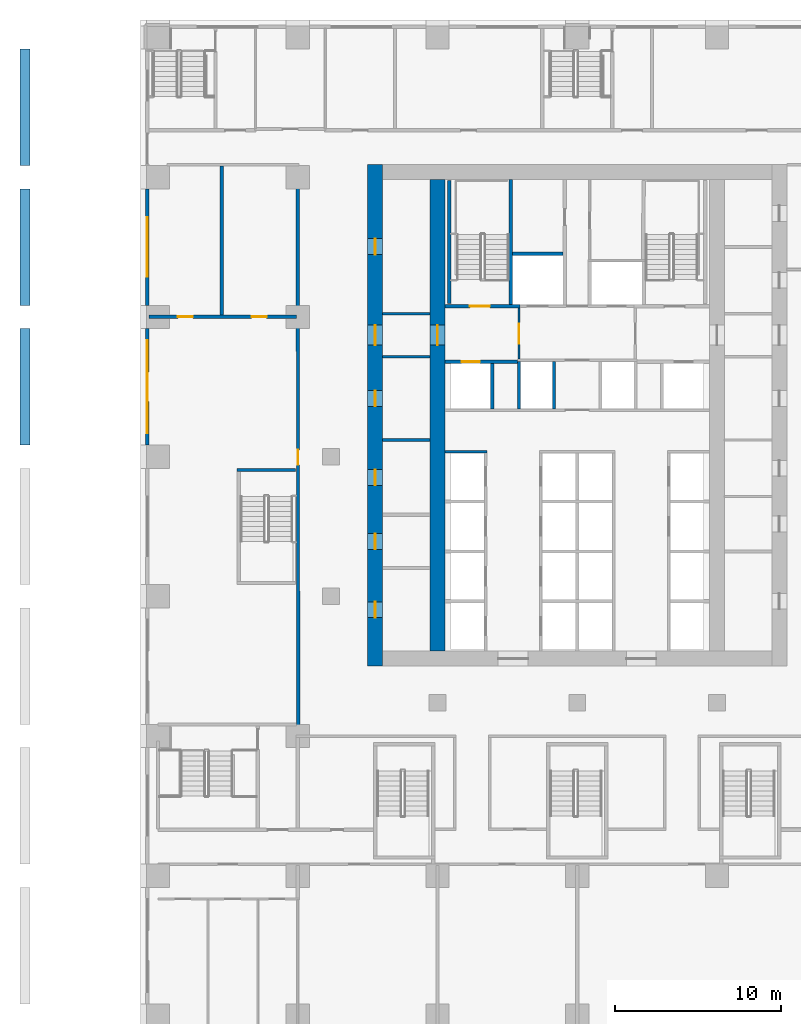
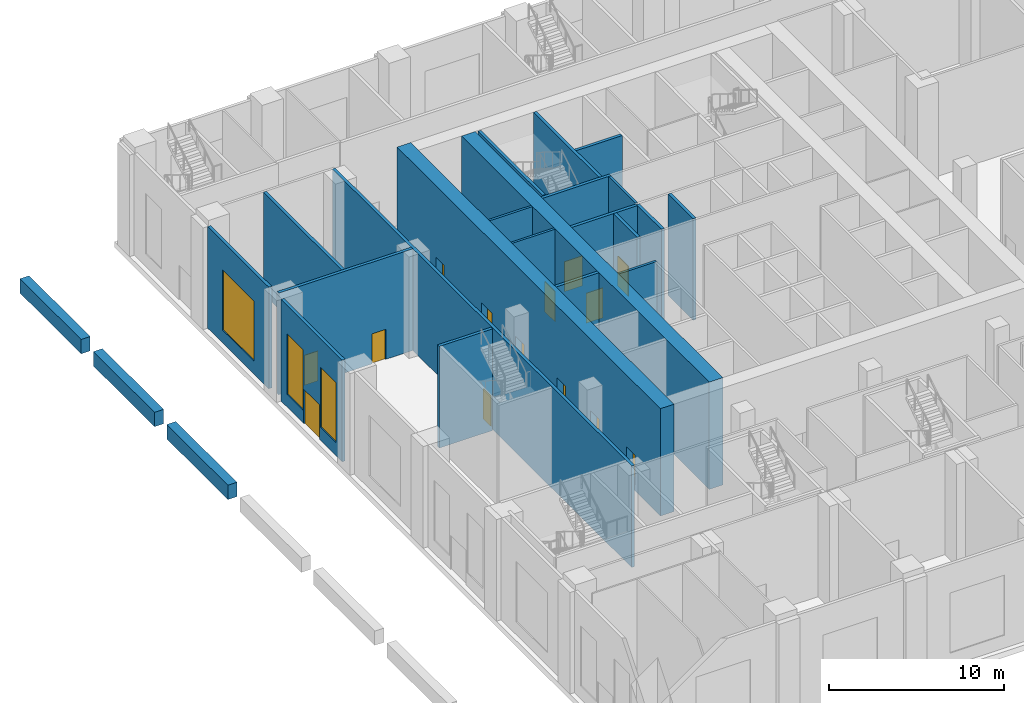
# One storey, part 10 of 29: 24 walls, 14 doors, 3 windows, 17 openings.
"""IFC4 building model written with IfcOpenShell, lengths in metres."""

from ifc_helpers import new_model, si_unit, direction, frame, frame_2d, origin, place, context, subcontext, project, spatial, rectangle, extrude, material, layer, layer_set, type_object, element, fill, save


model = new_model("IFC4")

# Units and contexts
model_context = context("Model", 3, precision=1e-05, world=origin(), true_north=direction((0.0, 1.0)))
body_context = subcontext(model_context, "Body", "Model", "MODEL_VIEW")
ifc_project = project(units=[si_unit("LENGTHUNIT", "METRE"), si_unit("AREAUNIT", "SQUARE_METRE"), si_unit("VOLUMEUNIT", "CUBIC_METRE"), si_unit("PLANEANGLEUNIT", "RADIAN"), si_unit("MASSUNIT", "GRAM", prefix="KILO")], contexts=[model_context])

# Site, building, storey
site_placement = place(None, origin())
site = spatial("IfcSite", under=ifc_project, at=site_placement, CompositionType="ELEMENT")
building_placement = place(site_placement, origin())
building = spatial("IfcBuilding", under=site, at=building_placement, Name="Vermilion Ogive Tower", CompositionType="ELEMENT")
storey_placement = place(building_placement, frame((0.0, 0.0, 12.5)))
storey = spatial("IfcBuildingStorey", under=building, at=storey_placement, Name="L02", CompositionType="ELEMENT", Elevation=12.5)

# Wall, openings, doors
ifc_material_1 = material(Name="Concrete B80", Category="concrete")
ifc_layer_1 = layer(ifc_material_1, 0.89990234375)
ifc_layer_set_1 = layer_set([ifc_layer_1], Name="Core wall 900 B80")
wall_type_1 = type_object("IfcWallType", Name="Core wall 900 B80", PredefinedType="SHEAR", material=ifc_layer_set_1)
wall_1_placement = place(storey_placement, frame((-12.14990234375, -8.39990234375, -0.39990234375), z_axis=(0.0, 0.0, 1.0), x_axis=(0.0, 1.0, 0.0)))
wall_1 = element("IfcWall", 1, at=wall_1_placement, inside=storey, type_object=wall_type_1, Name="L02-CORE-W", PredefinedType="SHEAR", context=body_context, shape_type="SweptSolid", body=[
    extrude(rectangle(XDim=30.14990234375, YDim=0.89990234375, at=frame_2d((15.074951171875, 0.0))), origin(), (0.0, 0.0, 1.0), 7.5),
])
opening_1_placement = place(wall_1_placement, frame((2.925048828125, 0.0, 0.39990234375)))
opening_1 = element("IfcOpeningElement", 2, at=opening_1_placement, cuts=wall_1, Name="Opening DAK012", PredefinedType="OPENING", context=body_context, shape_type="SweptSolid", body=[
    extrude(rectangle(XDim=0.949951171875, YDim=2.10009765625, at=frame_2d((0.47509765625, 1.050048828125))), frame((0.0, 0.4599609375, 0.0), z_axis=(0.0, -1.0, 0.0), x_axis=(1.0, 0.0, 0.0)), (0.0, 0.0, 1.0), 0.919921875),
])
opening_2_placement = place(wall_1_placement, frame((7.02490234375, 0.0, 0.39990234375)))
opening_2 = element("IfcOpeningElement", 3, at=opening_2_placement, cuts=wall_1, Name="Opening DAK013", PredefinedType="OPENING", context=body_context, shape_type="SweptSolid", body=[
    extrude(rectangle(XDim=0.949951171875, YDim=2.10009765625, at=frame_2d((0.47509765625, 1.050048828125))), frame((0.0, 0.4599609375, 0.0), z_axis=(0.0, -1.0, 0.0), x_axis=(1.0, 0.0, 0.0)), (0.0, 0.0, 1.0), 0.919921875),
])
opening_3_placement = place(wall_1_placement, frame((10.875, 0.0, 0.39990234375)))
opening_3 = element("IfcOpeningElement", 4, at=opening_3_placement, cuts=wall_1, Name="Opening DAK014", PredefinedType="OPENING", context=body_context, shape_type="SweptSolid", body=[
    extrude(rectangle(XDim=0.949951171875, YDim=2.10009765625, at=frame_2d((0.47509765625, 1.050048828125))), frame((0.0, 0.4599609375, 0.0), z_axis=(0.0, -1.0, 0.0), x_axis=(1.0, 0.0, 0.0)), (0.0, 0.0, 1.0), 0.919921875),
])
opening_4_placement = place(wall_1_placement, frame((15.625, 0.0, 0.39990234375)))
opening_4 = element("IfcOpeningElement", 5, at=opening_4_placement, cuts=wall_1, Name="Opening DAK015", PredefinedType="OPENING", context=body_context, shape_type="SweptSolid", body=[
    extrude(rectangle(XDim=0.949951171875, YDim=2.10009765625, at=frame_2d((0.47509765625, 1.050048828125))), frame((0.0, 0.4599609375, 0.0), z_axis=(0.0, -1.0, 0.0), x_axis=(1.0, 0.0, 0.0)), (0.0, 0.0, 1.0), 0.919921875),
])
opening_5_placement = place(wall_1_placement, frame((24.75, 0.0, 0.39990234375)))
opening_5 = element("IfcOpeningElement", 6, at=opening_5_placement, cuts=wall_1, Name="Opening DAK016", PredefinedType="OPENING", context=body_context, shape_type="SweptSolid", body=[
    extrude(rectangle(XDim=0.949951171875, YDim=2.10009765625, at=frame_2d((0.47509765625, 1.050048828125))), frame((0.0, 0.4599609375, 0.0), z_axis=(0.0, -1.0, 0.0), x_axis=(1.0, 0.0, 0.0)), (0.0, 0.0, 1.0), 0.919921875),
])
opening_6_placement = place(wall_1_placement, frame((19.300048828125, 0.0, 0.39990234375)))
opening_6 = element("IfcOpeningElement", 7, at=opening_6_placement, cuts=wall_1, Name="Opening DBB003", PredefinedType="OPENING", context=body_context, shape_type="SweptSolid", body=[
    extrude(rectangle(XDim=1.199951171875, YDim=2.10009765625, at=frame_2d((0.60009765625, 1.050048828125))), frame((0.0, 0.4599609375, 0.0), z_axis=(0.0, -1.0, 0.0), x_axis=(1.0, 0.0, 0.0)), (0.0, 0.0, 1.0), 0.919921875),
])
ifc_material_2 = material(Name="Timber door leaf", Category="wood")
door_type_1 = type_object("IfcDoorType", Name="Link door 1200 x 2100 FD60S", OperationType="SINGLE_SWING_LEFT", PredefinedType="DOOR", material=ifc_material_2)
door_1_placement = place(opening_6_placement, origin())
door_1 = element("IfcDoor", 8, at=door_1_placement, inside=storey, type_object=door_type_1, Name="L02-CKW-XL", OperationType="SINGLE_SWING_LEFT", OverallHeight=2.10009765625, OverallWidth=1.199951171875, PredefinedType="DOOR", context=body_context, shape_type="SweptSolid", body=[
    extrude(rectangle(XDim=1.199951171875, YDim=2.10009765625, at=frame_2d((0.60009765625, 1.050048828125))), frame((0.0, 0.02490234375, 0.0), z_axis=(0.0, -1.0, 0.0), x_axis=(1.0, 0.0, 0.0)), (0.0, 0.0, 1.0), 0.050048828125),
])
fill(opening_6, door_1)
ifc_material_3 = material(Name="Timber door leaf", Category="wood")
door_type_2 = type_object("IfcDoorType", Name="Service door 950 x 2100 FD60", OperationType="SINGLE_SWING_LEFT", PredefinedType="DOOR", material=ifc_material_3)
door_2_placement = place(opening_1_placement, origin())
door_2 = element("IfcDoor", 9, at=door_2_placement, inside=storey, type_object=door_type_2, Name="L02-CKW-XR0", OperationType="SINGLE_SWING_LEFT", OverallHeight=2.10009765625, OverallWidth=0.949951171875, PredefinedType="DOOR", context=body_context, shape_type="SweptSolid", body=[
    extrude(rectangle(XDim=0.949951171875, YDim=2.10009765625, at=frame_2d((0.47509765625, 1.050048828125))), frame((0.0, 0.02490234375, 0.0), z_axis=(0.0, -1.0, 0.0), x_axis=(1.0, 0.0, 0.0)), (0.0, 0.0, 1.0), 0.050048828125),
])
fill(opening_1, door_2)
door_3_placement = place(opening_2_placement, origin())
door_3 = element("IfcDoor", 10, at=door_3_placement, inside=storey, type_object=door_type_2, Name="L02-CKW-XR1", OperationType="SINGLE_SWING_LEFT", OverallHeight=2.10009765625, OverallWidth=0.949951171875, PredefinedType="DOOR", context=body_context, shape_type="SweptSolid", body=[
    extrude(rectangle(XDim=0.949951171875, YDim=2.10009765625, at=frame_2d((0.47509765625, 1.050048828125))), frame((0.0, 0.02490234375, 0.0), z_axis=(0.0, -1.0, 0.0), x_axis=(1.0, 0.0, 0.0)), (0.0, 0.0, 1.0), 0.050048828125),
])
fill(opening_2, door_3)
door_4_placement = place(opening_3_placement, origin())
door_4 = element("IfcDoor", 11, at=door_4_placement, inside=storey, type_object=door_type_2, Name="L02-CKW-XR2", OperationType="SINGLE_SWING_LEFT", OverallHeight=2.10009765625, OverallWidth=0.949951171875, PredefinedType="DOOR", context=body_context, shape_type="SweptSolid", body=[
    extrude(rectangle(XDim=0.949951171875, YDim=2.10009765625, at=frame_2d((0.47509765625, 1.050048828125))), frame((0.0, 0.02490234375, 0.0), z_axis=(0.0, -1.0, 0.0), x_axis=(1.0, 0.0, 0.0)), (0.0, 0.0, 1.0), 0.050048828125),
])
fill(opening_3, door_4)
door_5_placement = place(opening_4_placement, origin())
door_5 = element("IfcDoor", 12, at=door_5_placement, inside=storey, type_object=door_type_2, Name="L02-CKW-XR3", OperationType="SINGLE_SWING_LEFT", OverallHeight=2.10009765625, OverallWidth=0.949951171875, PredefinedType="DOOR", context=body_context, shape_type="SweptSolid", body=[
    extrude(rectangle(XDim=0.949951171875, YDim=2.10009765625, at=frame_2d((0.47509765625, 1.050048828125))), frame((0.0, 0.02490234375, 0.0), z_axis=(0.0, -1.0, 0.0), x_axis=(1.0, 0.0, 0.0)), (0.0, 0.0, 1.0), 0.050048828125),
])
fill(opening_4, door_5)
door_6_placement = place(opening_5_placement, origin())
door_6 = element("IfcDoor", 13, at=door_6_placement, inside=storey, type_object=door_type_2, Name="L02-CKW-XR4", OperationType="SINGLE_SWING_LEFT", OverallHeight=2.10009765625, OverallWidth=0.949951171875, PredefinedType="DOOR", context=body_context, shape_type="SweptSolid", body=[
    extrude(rectangle(XDim=0.949951171875, YDim=2.10009765625, at=frame_2d((0.47509765625, 1.050048828125))), frame((0.0, 0.02490234375, 0.0), z_axis=(0.0, -1.0, 0.0), x_axis=(1.0, 0.0, 0.0)), (0.0, 0.0, 1.0), 0.050048828125),
])
fill(opening_5, door_6)

# Wall, opening, door
wall_2_placement = place(storey_placement, frame((-8.39990234375, -7.5, -0.39990234375), z_axis=(0.0, 0.0, 1.0), x_axis=(0.0, 1.0, 0.0)))
wall_2 = element("IfcWall", 14, at=wall_2_placement, inside=storey, type_object=wall_type_1, Name="L02-CORE-WEB1", PredefinedType="SHEAR", context=body_context, shape_type="SweptSolid", body=[
    extrude(rectangle(XDim=28.35009765625, YDim=0.89990234375, at=frame_2d((14.175048828125, 0.0))), origin(), (0.0, 0.0, 1.0), 7.5),
])
opening_7_placement = place(wall_2_placement, frame((18.39990234375, 0.0, 0.39990234375)))
opening_7 = element("IfcOpeningElement", 15, at=opening_7_placement, cuts=wall_2, Name="Opening DBD003", PredefinedType="OPENING", context=body_context, shape_type="SweptSolid", body=[
    extrude(rectangle(XDim=1.199951171875, YDim=2.10009765625, at=frame_2d((0.60009765625, 1.050048828125))), frame((0.0, 0.4599609375, 0.0), z_axis=(0.0, -1.0, 0.0), x_axis=(1.0, 0.0, 0.0)), (0.0, 0.0, 1.0), 0.919921875),
])
door_7_placement = place(opening_7_placement, origin())
door_7 = element("IfcDoor", 16, at=door_7_placement, inside=storey, type_object=door_type_1, Name="L02-CKW-XW", OperationType="SINGLE_SWING_LEFT", OverallHeight=2.10009765625, OverallWidth=1.199951171875, PredefinedType="DOOR", context=body_context, shape_type="SweptSolid", body=[
    extrude(rectangle(XDim=1.199951171875, YDim=2.10009765625, at=frame_2d((0.60009765625, 1.050048828125))), frame((0.0, 0.02490234375, 0.0), z_axis=(0.0, -1.0, 0.0), x_axis=(1.0, 0.0, 0.0)), (0.0, 0.0, 1.0), 0.050048828125),
])
fill(opening_7, door_7)

# Wall
ifc_material_4 = material(Name="Gypsum board partition on steel studs", Category="steel")
ifc_layer_2 = layer(ifc_material_4, 0.14990234375)
ifc_layer_set_2 = layer_set([ifc_layer_2], Name="Partition 150 corridor")
wall_type_2 = type_object("IfcWallType", Name="Partition 150 corridor", PredefinedType="PARTITIONING", material=ifc_layer_set_2)
wall_3_placement = place(storey_placement, frame((-7.948974609375, 4.5, 0.0), z_axis=(0.0, 0.0, 1.0), x_axis=(1.0, 0.0, 0.0)))
element("IfcWall", 17, at=wall_3_placement, inside=storey, type_object=wall_type_2, Name="L02-CK-W-W010", PredefinedType="PARTITIONING", context=body_context, shape_type="SweptSolid", body=[
    extrude(rectangle(XDim=2.52392578125, YDim=0.14990234375, at=frame_2d((1.261962890625, 0.0))), origin(), (0.0, 0.0, 1.0), 7.10009765625),
])

# Wall, opening, door
wall_4_placement = place(storey_placement, frame((-3.5, 10.074951171875, 0.0), z_axis=(0.0, 0.0, 1.0), x_axis=(0.0, 1.0, 0.0)))
wall_4 = element("IfcWall", 18, at=wall_4_placement, inside=storey, type_object=wall_type_2, Name="L02-CK-W-W026", PredefinedType="PARTITIONING", context=body_context, shape_type="SweptSolid", body=[
    extrude(rectangle(XDim=3.074951171875, YDim=0.14990234375, at=frame_2d((1.53759765625, 0.0))), origin(), (0.0, 0.0, 1.0), 7.10009765625),
])
opening_8_placement = place(wall_4_placement, frame((0.925048828125, 0.0, 0.0)))
opening_8 = element("IfcOpeningElement", 19, at=opening_8_placement, cuts=wall_4, Name="Opening DAB055", PredefinedType="OPENING", context=body_context, shape_type="SweptSolid", body=[
    extrude(rectangle(XDim=1.199951171875, YDim=2.10009765625, at=frame_2d((0.60009765625, 1.050048828125))), frame((0.0, 0.0849609375, 0.0), z_axis=(0.0, -1.0, 0.0), x_axis=(1.0, 0.0, 0.0)), (0.0, 0.0, 1.0), 0.169921875),
])
ifc_material_5 = material(Name="Timber door leaf", Category="wood")
door_type_3 = type_object("IfcDoorType", Name="Lobby door 1200 x 2100 FD60S", OperationType="SINGLE_SWING_LEFT", PredefinedType="DOOR", material=ifc_material_5)
door_8_placement = place(opening_8_placement, origin())
door_8 = element("IfcDoor", 20, at=door_8_placement, inside=storey, type_object=door_type_3, Name="L02-CK-D-D022", OperationType="SINGLE_SWING_RIGHT", OverallHeight=2.10009765625, OverallWidth=1.199951171875, PredefinedType="DOOR", context=body_context, shape_type="SweptSolid", body=[
    extrude(rectangle(XDim=1.199951171875, YDim=2.10009765625, at=frame_2d((0.60009765625, 1.050048828125))), frame((0.0, 0.02490234375, 0.0), z_axis=(0.0, -1.0, 0.0), x_axis=(1.0, 0.0, 0.0)), (0.0, 0.0, 1.0), 0.050048828125),
])
fill(opening_8, door_8)

# Walls
for number, where, z_axis, x_axis, name in (
    (21, (-11.698974609375, 10.199951171875, 0.0), (0.0, 0.0, 1.0), (1.0, 0.0, 0.0), "L02-CKW-W-W004"),
    (22, (-11.698974609375, 12.800048828125, 0.0), (0.0, 0.0, 1.0), (1.0, 0.0, 0.0), "L02-CKW-W-W005"),
):
    element("IfcWall", number, at=place(storey_placement, frame(where, z_axis=z_axis, x_axis=x_axis)), inside=storey, type_object=wall_type_2, Name=name, PredefinedType="PARTITIONING", context=body_context, shape_type="SweptSolid", body=[
        extrude(rectangle(XDim=2.847900390625, YDim=0.14990234375, at=frame_2d((1.423828125, 0.0))), origin(), (0.0, 0.0, 1.0), 7.10009765625),
    ])

# Wall, openings, doors
ifc_material_6 = material(Name="Gypsum board partition on steel studs", Category="steel")
ifc_layer_3 = layer(ifc_material_6, 0.199951171875)
ifc_layer_set_3 = layer_set([ifc_layer_3], Name="Partition 200 party")
wall_type_3 = type_object("IfcWallType", Name="Partition 200 party", PredefinedType="PARTITIONING", material=ifc_layer_set_3)
wall_5_placement = place(storey_placement, frame((-25.75, 12.60009765625, 0.0), z_axis=(0.0, 0.0, 1.0), x_axis=(1.0, 0.0, 0.0)))
wall_5 = element("IfcWall", 23, at=wall_5_placement, inside=storey, type_object=wall_type_3, Name="L02-FS-W-W024", PredefinedType="PARTITIONING", context=body_context, shape_type="SweptSolid", body=[
    extrude(rectangle(XDim=8.875, YDim=0.199951171875, at=frame_2d((4.4375, 0.0))), origin(), (0.0, 0.0, 1.0), 7.10009765625),
])
opening_9_placement = place(wall_5_placement, frame((1.737548828125, 0.0, 0.0)))
opening_9 = element("IfcOpeningElement", 24, at=opening_9_placement, cuts=wall_5, Name="Opening L02S020", PredefinedType="OPENING", context=body_context, shape_type="SweptSolid", body=[
    extrude(rectangle(XDim=0.89990234375, YDim=2.10009765625, at=frame_2d((0.449951171875, 1.050048828125))), frame((0.0, 0.10986328125, 0.0), z_axis=(0.0, -1.0, 0.0), x_axis=(1.0, 0.0, 0.0)), (0.0, 0.0, 1.0), 0.219970703125),
])
opening_10_placement = place(wall_5_placement, frame((6.175048828125, 0.0, 0.0)))
opening_10 = element("IfcOpeningElement", 25, at=opening_10_placement, cuts=wall_5, Name="Opening L02S021", PredefinedType="OPENING", context=body_context, shape_type="SweptSolid", body=[
    extrude(rectangle(XDim=0.89990234375, YDim=2.10009765625, at=frame_2d((0.449951171875, 1.050048828125))), frame((0.0, 0.10986328125, 0.0), z_axis=(0.0, -1.0, 0.0), x_axis=(1.0, 0.0, 0.0)), (0.0, 0.0, 1.0), 0.219970703125),
])
ifc_material_7 = material(Name="Timber door leaf", Category="wood")
door_type_4 = type_object("IfcDoorType", Name="Room door 900 x 2100 FD30", OperationType="SINGLE_SWING_LEFT", PredefinedType="DOOR", material=ifc_material_7)
door_9_placement = place(opening_9_placement, origin())
door_9 = element("IfcDoor", 26, at=door_9_placement, inside=storey, type_object=door_type_4, Name="L02-FS-D-D020", OperationType="SINGLE_SWING_RIGHT", OverallHeight=2.10009765625, OverallWidth=0.89990234375, PredefinedType="DOOR", context=body_context, shape_type="SweptSolid", body=[
    extrude(rectangle(XDim=0.89990234375, YDim=2.10009765625, at=frame_2d((0.449951171875, 1.050048828125))), frame((0.0, 0.02490234375, 0.0), z_axis=(0.0, -1.0, 0.0), x_axis=(1.0, 0.0, 0.0)), (0.0, 0.0, 1.0), 0.050048828125),
])
fill(opening_9, door_9)
door_10_placement = place(opening_10_placement, origin())
door_10 = element("IfcDoor", 27, at=door_10_placement, inside=storey, type_object=door_type_4, Name="L02-FS-D-D021", OperationType="SINGLE_SWING_LEFT", OverallHeight=2.10009765625, OverallWidth=0.89990234375, PredefinedType="DOOR", context=body_context, shape_type="SweptSolid", body=[
    extrude(rectangle(XDim=0.89990234375, YDim=2.10009765625, at=frame_2d((0.449951171875, 1.050048828125))), frame((0.0, 0.02490234375, 0.0), z_axis=(0.0, -1.0, 0.0), x_axis=(1.0, 0.0, 0.0)), (0.0, 0.0, 1.0), 0.050048828125),
])
fill(opening_10, door_10)

# Wall
wall_6_placement = place(storey_placement, frame((-21.375, 12.699951171875, 0.0), z_axis=(0.0, 0.0, 1.0), x_axis=(0.0, 1.0, 0.0)))
element("IfcWall", 28, at=wall_6_placement, inside=storey, type_object=wall_type_3, Name="L02-FS-W-W041", PredefinedType="PARTITIONING", context=body_context, shape_type="SweptSolid", body=[
    extrude(rectangle(XDim=8.97509765625, YDim=0.199951171875, at=frame_2d((4.487548828125, 0.0))), origin(), (0.0, 0.0, 1.0), 7.10009765625),
])

# Wall, opening, door
wall_7_placement = place(storey_placement, frame((-7.948974609375, 9.89990234375, 0.0), z_axis=(0.0, 0.0, 1.0), x_axis=(1.0, 0.0, 0.0)))
wall_7 = element("IfcWall", 29, at=wall_7_placement, inside=storey, type_object=wall_type_3, Name="L02-CK-W-W014", PredefinedType="PARTITIONING", context=body_context, shape_type="SweptSolid", body=[
    extrude(rectangle(XDim=4.348876953125, YDim=0.199951171875, at=frame_2d((2.17431640625, 0.0))), origin(), (0.0, 0.0, 1.0), 7.10009765625),
])
opening_11_placement = place(wall_7_placement, frame((0.9990234375, 0.0, 0.0)))
opening_11 = element("IfcOpeningElement", 30, at=opening_11_placement, cuts=wall_7, Name="Opening DAB066", PredefinedType="OPENING", context=body_context, shape_type="SweptSolid", body=[
    extrude(rectangle(XDim=1.10009765625, YDim=2.10009765625, at=frame_2d((0.550048828125, 1.050048828125))), frame((0.0, 0.10986328125, 0.0), z_axis=(0.0, -1.0, 0.0), x_axis=(1.0, 0.0, 0.0)), (0.0, 0.0, 1.0), 0.219970703125),
])
ifc_material_8 = material(Name="Stainless steel", Category="steel")
door_type_5 = type_object("IfcDoorType", Name="Lift landing door 1100 x 2100", OperationType="SLIDING_TO_LEFT", PredefinedType="DOOR", material=ifc_material_8)
door_11_placement = place(opening_11_placement, origin())
door_11 = element("IfcDoor", 31, at=door_11_placement, inside=storey, type_object=door_type_5, Name="L02-CK-D-D012", OperationType="SLIDING_TO_RIGHT", OverallHeight=2.10009765625, OverallWidth=1.10009765625, PredefinedType="DOOR", context=body_context, shape_type="SweptSolid", body=[
    extrude(rectangle(XDim=1.10009765625, YDim=2.10009765625, at=frame_2d((0.550048828125, 1.050048828125))), frame((0.0, 0.02490234375, 0.0), z_axis=(0.0, -1.0, 0.0), x_axis=(1.0, 0.0, 0.0)), (0.0, 0.0, 1.0), 0.050048828125),
])
fill(opening_11, door_11)

# Walls
wall_8_placement = place(storey_placement, frame((-3.89990234375, 16.39990234375, 0.0), z_axis=(0.0, 0.0, 1.0), x_axis=(1.0, 0.0, 0.0)))
element("IfcWall", 32, at=wall_8_placement, inside=storey, type_object=wall_type_3, Name="L02-CK-W-W021", PredefinedType="PARTITIONING", context=body_context, shape_type="SweptSolid", body=[
    extrude(rectangle(XDim=3.0498046875, YDim=0.199951171875, at=frame_2d((1.52490234375, 0.0))), origin(), (0.0, 0.0, 1.0), 7.10009765625),
])
wall_9_placement = place(storey_placement, frame((-5.10009765625, 7.074951171875, 0.0), z_axis=(0.0, 0.0, 1.0), x_axis=(0.0, 1.0, 0.0)))
element("IfcWall", 33, at=wall_9_placement, inside=storey, type_object=wall_type_3, Name="L02-CK-W-W023", PredefinedType="PARTITIONING", context=body_context, shape_type="SweptSolid", body=[
    extrude(rectangle(XDim=2.72509765625, YDim=0.199951171875, at=frame_2d((1.362548828125, 0.0))), origin(), (0.0, 0.0, 1.0), 7.10009765625),
])
for number, where, z_axis, x_axis, name in (
    (34, (-3.5, 7.074951171875, 0.0), (0.0, 0.0, 1.0), (0.0, 1.0, 0.0), "L02-CK-W-W025"),
    (35, (-1.39990234375, 7.074951171875, 0.0), (0.0, 0.0, 1.0), (0.0, 1.0, 0.0), "L02-CK-W-W028"),
):
    element("IfcWall", number, at=place(storey_placement, frame(where, z_axis=z_axis, x_axis=x_axis)), inside=storey, type_object=wall_type_3, Name=name, PredefinedType="PARTITIONING", context=body_context, shape_type="SweptSolid", body=[
        extrude(rectangle(XDim=2.85009765625, YDim=0.199951171875, at=frame_2d((1.425048828125, 0.0))), origin(), (0.0, 0.0, 1.0), 7.10009765625),
    ])
wall_10_placement = place(storey_placement, frame((-11.698974609375, 5.199951171875, 0.0), z_axis=(0.0, 0.0, 1.0), x_axis=(1.0, 0.0, 0.0)))
element("IfcWall", 36, at=wall_10_placement, inside=storey, type_object=wall_type_3, Name="L02-CKW-W-W003", PredefinedType="PARTITIONING", context=body_context, shape_type="SweptSolid", body=[
    extrude(rectangle(XDim=2.847900390625, YDim=0.199951171875, at=frame_2d((1.423828125, 0.0))), origin(), (0.0, 0.0, 1.0), 7.10009765625),
])

# Wall, opening, door
ifc_material_9 = material(Name="Concrete B60", Category="concrete")
ifc_layer_4 = layer(ifc_material_9, 0.199951171875)
ifc_layer_set_4 = layer_set([ifc_layer_4], Name="Stair shaft wall 200 Concrete B60")
wall_type_4 = type_object("IfcWallType", Name="Stair shaft wall 200 Concrete B60", PredefinedType="SOLIDWALL", material=ifc_layer_set_4)
wall_11_placement = place(storey_placement, frame((-16.775146484375, -12.52490234375, 0.0), z_axis=(0.0, 0.0, 1.0), x_axis=(-0.000727609751, 0.999999735292, 0.0)))
wall_11 = element("IfcWall", 37, at=wall_11_placement, inside=storey, type_object=wall_type_4, Name="L02-FS-W-W048", PredefinedType="SOLIDWALL", context=body_context, shape_type="SweptSolid", body=[
    extrude(rectangle(XDim=34.224853515625, YDim=0.199951171875, at=frame_2d((17.1123046875, 0.0))), origin(), (0.0, 0.0, 1.0), 7.10009765625),
])
opening_12_placement = place(wall_11_placement, frame((16.224853515625, 0.0, 0.0)))
opening_12 = element("IfcOpeningElement", 38, at=opening_12_placement, cuts=wall_11, Name="Opening L02S019", PredefinedType="OPENING", context=body_context, shape_type="SweptSolid", body=[
    extrude(rectangle(XDim=0.89990234375, YDim=2.10009765625, at=frame_2d((0.449951171875, 1.050048828125))), frame((0.0, 0.10986328125, 0.0), z_axis=(0.0, -1.0, 0.0), x_axis=(1.0, 0.0, 0.0)), (0.0, 0.0, 1.0), 0.219970703125),
])
door_12_placement = place(opening_12_placement, origin())
door_12 = element("IfcDoor", 39, at=door_12_placement, inside=storey, type_object=door_type_4, Name="L02-FS-D-D019", OperationType="SINGLE_SWING_LEFT", OverallHeight=2.10009765625, OverallWidth=0.89990234375, PredefinedType="DOOR", context=body_context, shape_type="SweptSolid", body=[
    extrude(rectangle(XDim=0.89990234375, YDim=2.10009765625, at=frame_2d((0.449951171875, 1.050048828125))), frame((0.0, 0.02490234375, 0.0), z_axis=(0.0, -1.0, 0.0), x_axis=(1.0, 0.0, 0.0)), (0.0, 0.0, 1.0), 0.050048828125),
])
fill(opening_12, door_12)

wall_12_placement = place(storey_placement, frame((-7.948974609375, 13.25, 0.0), z_axis=(0.0, 0.0, 1.0), x_axis=(1.0, 0.0, 0.0)))
wall_12 = element("IfcWall", 40, at=wall_12_placement, inside=storey, type_object=wall_type_4, Name="L02-CK-W-W017", PredefinedType="SOLIDWALL", context=body_context, shape_type="SweptSolid", body=[
    extrude(rectangle(XDim=4.52392578125, YDim=0.199951171875, at=frame_2d((2.261962890625, 0.0))), origin(), (0.0, 0.0, 1.0), 7.10009765625),
])
opening_13_placement = place(wall_12_placement, frame((1.4990234375, 0.0, 0.0)))
opening_13 = element("IfcOpeningElement", 41, at=opening_13_placement, cuts=wall_12, Name="Opening DAB062", PredefinedType="OPENING", context=body_context, shape_type="SweptSolid", body=[
    extrude(rectangle(XDim=1.199951171875, YDim=2.10009765625, at=frame_2d((0.60009765625, 1.050048828125))), frame((0.0, 0.10986328125, 0.0), z_axis=(0.0, -1.0, 0.0), x_axis=(1.0, 0.0, 0.0)), (0.0, 0.0, 1.0), 0.219970703125),
])
ifc_material_10 = material(Name="Timber door leaf", Category="wood")
door_type_6 = type_object("IfcDoorType", Name="Stair door 1200 x 2100 FD60S", OperationType="SINGLE_SWING_LEFT", PredefinedType="DOOR", material=ifc_material_10)
door_13_placement = place(opening_13_placement, origin())
door_13 = element("IfcDoor", 42, at=door_13_placement, inside=storey, type_object=door_type_6, Name="L02-CK-D-D011", OperationType="SINGLE_SWING_LEFT", OverallHeight=2.10009765625, OverallWidth=1.199951171875, PredefinedType="DOOR", context=body_context, shape_type="SweptSolid", body=[
    extrude(rectangle(XDim=1.199951171875, YDim=2.10009765625, at=frame_2d((0.60009765625, 1.050048828125))), frame((0.0, 0.02490234375, 0.0), z_axis=(0.0, -1.0, 0.0), x_axis=(1.0, 0.0, 0.0)), (0.0, 0.0, 1.0), 0.050048828125),
])
fill(opening_13, door_13)

# Walls
wall_13_placement = place(storey_placement, frame((-4.0, 13.35009765625, 0.0), z_axis=(0.0, 0.0, 1.0), x_axis=(0.0, 1.0, 0.0)))
element("IfcWall", 43, at=wall_13_placement, inside=storey, type_object=wall_type_4, Name="L02-CK-W-W024", PredefinedType="SOLIDWALL", context=body_context, shape_type="SweptSolid", body=[
    extrude(rectangle(XDim=7.4990234375, YDim=0.199951171875, at=frame_2d((3.74951171875, 0.0))), origin(), (0.0, 0.0, 1.0), 7.10009765625),
])
wall_14_placement = place(storey_placement, frame((-20.449951171875, 3.39990234375, 0.0), z_axis=(0.0, 0.0, 1.0), x_axis=(1.0, 0.0, 0.0)))
element("IfcWall", 44, at=wall_14_placement, inside=storey, type_object=wall_type_4, Name="L02-SW-ST9-N1", PredefinedType="SOLIDWALL", context=body_context, shape_type="SweptSolid", body=[
    extrude(rectangle(XDim=3.52490234375, YDim=0.199951171875, at=frame_2d((1.762451171875, 0.0))), origin(), (0.0, 0.0, 1.0), 7.10009765625),
])
wall_15_placement = place(storey_placement, frame((-7.699951171875, 13.39990234375, 0.0), z_axis=(0.0, 0.0, 1.0), x_axis=(0.0, 1.0, 0.0)))
element("IfcWall", 45, at=wall_15_placement, inside=storey, type_object=wall_type_4, Name="L02-SW-R021-W1", PredefinedType="SOLIDWALL", context=body_context, shape_type="SweptSolid", body=[
    extrude(rectangle(XDim=7.400146484375, YDim=0.199951171875, at=frame_2d((3.7001953125, 0.0))), origin(), (0.0, 0.0, 1.0), 7.10009765625),
])
ifc_material_11 = material(Name="Concrete B40", Category="concrete")
ifc_layer_5 = layer(ifc_material_11, 0.60009765625)
ifc_layer_set_5 = layer_set([ifc_layer_5], Name="Terrace planter")
wall_type_5 = type_object("IfcWallType", Name="Terrace planter", PredefinedType="USERDEFINED", material=ifc_layer_set_5)
for number, where, z_axis, x_axis, name in (
    (46, (-33.199951171875, 4.89990234375, 0.0), (0.0, 0.0, 1.0), (0.0, 1.0, 0.0), "Terrace planter 1.1.5"),
    (47, (-33.199951171875, 13.300048828125, 0.0), (0.0, 0.0, 1.0), (0.0, 1.0, 0.0), "Terrace planter 1.1.6"),
    (48, (-33.199951171875, 21.699951171875, 0.0), (0.0, 0.0, 1.0), (0.0, 1.0, 0.0), "Terrace planter 1.1.7"),
):
    element("IfcWall", number, at=place(storey_placement, frame(where, z_axis=z_axis, x_axis=x_axis)), inside=storey, type_object=wall_type_5, Name=name, ObjectType="PLANTER", PredefinedType="USERDEFINED", context=body_context, shape_type="SweptSolid", body=[
        extrude(rectangle(XDim=7.0, YDim=0.60009765625, at=frame_2d((3.5, 0.0))), origin(), (0.0, 0.0, 1.0), 1.0),
    ])

# Wall, opening, window
ifc_material_12 = material(Name="Aluminium window wall framing", Category="aluminium")
ifc_layer_6 = layer(ifc_material_12, 0.199951171875)
ifc_layer_set_6 = layer_set([ifc_layer_6], Name="Window wall")
wall_type_6 = type_object("IfcWallType", Name="Window wall", PredefinedType="STANDARD", material=ifc_layer_set_6)
wall_16_placement = place(storey_placement, frame((-25.85009765625, 20.300048828125, 0.0), z_axis=(0.0, 0.0, 1.0), x_axis=(0.0, -1.0, 0.0)))
wall_16 = element("IfcWall", 49, at=wall_16_placement, inside=storey, type_object=wall_type_6, Name="Window wall W2", PredefinedType="STANDARD", context=body_context, shape_type="SweptSolid", body=[
    extrude(rectangle(XDim=7.0, YDim=0.199951171875, at=frame_2d((3.5, 0.0))), origin(), (0.0, 0.0, 1.0), 7.10009765625),
])
opening_14_placement = place(wall_16_placement, frame((1.699951171875, 0.0, 0.89990234375)))
opening_14 = element("IfcOpeningElement", 50, at=opening_14_placement, cuts=wall_16, Name="Opening P-W2", PredefinedType="OPENING", context=body_context, shape_type="SweptSolid", body=[
    extrude(rectangle(XDim=3.60009765625, YDim=4.199951171875, at=frame_2d((1.800048828125, 2.10009765625))), frame((0.0, 0.10986328125, 0.0), z_axis=(0.0, -1.0, 0.0), x_axis=(1.0, 0.0, 0.0)), (0.0, 0.0, 1.0), 0.219970703125),
])
ifc_material_13 = material(Name="Aluminium framed double glazing", Category="aluminium")
window_type_1 = type_object("IfcWindowType", Name="Podium window P 3600x4200 sill 900", PartitioningType="SINGLE_PANEL", PredefinedType="WINDOW", material=ifc_material_13)
window_1_placement = place(opening_14_placement, origin())
window_1 = element("IfcWindow", 51, at=window_1_placement, inside=storey, type_object=window_type_1, Name="Window W2", OverallHeight=4.199951171875, OverallWidth=3.60009765625, PartitioningType="SINGLE_PANEL", PredefinedType="WINDOW", context=body_context, shape_type="SweptSolid", body=[
    extrude(rectangle(XDim=3.60009765625, YDim=4.199951171875, at=frame_2d((1.800048828125, 2.10009765625))), frame((0.0, 0.030029296875, 0.0), z_axis=(0.0, -1.0, 0.0), x_axis=(1.0, 0.0, 0.0)), (0.0, 0.0, 1.0), 0.06005859375),
])
fill(opening_14, window_1)

# Wall, openings, windows, door
wall_17_placement = place(storey_placement, frame((-25.85009765625, 11.89990234375, 0.0), z_axis=(0.0, 0.0, 1.0), x_axis=(0.0, -1.0, 0.0)))
wall_17 = element("IfcWall", 52, at=wall_17_placement, inside=storey, type_object=wall_type_6, Name="Window wall W3", PredefinedType="STANDARD", context=body_context, shape_type="SweptSolid", body=[
    extrude(rectangle(XDim=7.0, YDim=0.199951171875, at=frame_2d((3.5, 0.0))), origin(), (0.0, 0.0, 1.0), 7.10009765625),
])
opening_15_placement = place(wall_17_placement, frame((0.699951171875, 0.0, 0.89990234375)))
opening_15 = element("IfcOpeningElement", 53, at=opening_15_placement, cuts=wall_17, Name="Opening P-W3A", PredefinedType="OPENING", context=body_context, shape_type="SweptSolid", body=[
    extrude(rectangle(XDim=1.800048828125, YDim=4.199951171875, at=frame_2d((0.89990234375, 2.10009765625))), frame((0.0, 0.10986328125, 0.0), z_axis=(0.0, -1.0, 0.0), x_axis=(1.0, 0.0, 0.0)), (0.0, 0.0, 1.0), 0.219970703125),
])
opening_16_placement = place(wall_17_placement, frame((2.60009765625, 0.0, 0.0)))
opening_16 = element("IfcOpeningElement", 54, at=opening_16_placement, cuts=wall_17, Name="Opening D2-W3", PredefinedType="OPENING", context=body_context, shape_type="SweptSolid", body=[
    extrude(rectangle(XDim=1.800048828125, YDim=2.39990234375, at=frame_2d((0.89990234375, 1.199951171875))), frame((0.0, 0.10986328125, 0.0), z_axis=(0.0, -1.0, 0.0), x_axis=(1.0, 0.0, 0.0)), (0.0, 0.0, 1.0), 0.219970703125),
])
opening_17_placement = place(wall_17_placement, frame((4.5, 0.0, 0.89990234375)))
opening_17 = element("IfcOpeningElement", 55, at=opening_17_placement, cuts=wall_17, Name="Opening P-W3B", PredefinedType="OPENING", context=body_context, shape_type="SweptSolid", body=[
    extrude(rectangle(XDim=1.800048828125, YDim=4.199951171875, at=frame_2d((0.89990234375, 2.10009765625))), frame((0.0, 0.10986328125, 0.0), z_axis=(0.0, -1.0, 0.0), x_axis=(1.0, 0.0, 0.0)), (0.0, 0.0, 1.0), 0.219970703125),
])
ifc_material_14 = material(Name="Aluminium framed double glazing", Category="aluminium")
window_type_2 = type_object("IfcWindowType", Name="Podium window P 1800x4200 sill 900", PartitioningType="SINGLE_PANEL", PredefinedType="WINDOW", material=ifc_material_14)
window_2_placement = place(opening_15_placement, origin())
window_2 = element("IfcWindow", 56, at=window_2_placement, inside=storey, type_object=window_type_2, Name="Window W3A", OverallHeight=4.199951171875, OverallWidth=1.800048828125, PartitioningType="SINGLE_PANEL", PredefinedType="WINDOW", context=body_context, shape_type="SweptSolid", body=[
    extrude(rectangle(XDim=1.800048828125, YDim=4.199951171875, at=frame_2d((0.89990234375, 2.10009765625))), frame((0.0, 0.030029296875, 0.0), z_axis=(0.0, -1.0, 0.0), x_axis=(1.0, 0.0, 0.0)), (0.0, 0.0, 1.0), 0.06005859375),
])
fill(opening_15, window_2)
window_3_placement = place(opening_17_placement, origin())
window_3 = element("IfcWindow", 57, at=window_3_placement, inside=storey, type_object=window_type_2, Name="Window W3B", OverallHeight=4.199951171875, OverallWidth=1.800048828125, PartitioningType="SINGLE_PANEL", PredefinedType="WINDOW", context=body_context, shape_type="SweptSolid", body=[
    extrude(rectangle(XDim=1.800048828125, YDim=4.199951171875, at=frame_2d((0.89990234375, 2.10009765625))), frame((0.0, 0.030029296875, 0.0), z_axis=(0.0, -1.0, 0.0), x_axis=(1.0, 0.0, 0.0)), (0.0, 0.0, 1.0), 0.06005859375),
])
fill(opening_17, window_3)
ifc_material_15 = material(Name="Aluminium framed glazed door", Category="aluminium")
door_type_7 = type_object("IfcDoorType", Name="Terrace door D2", OperationType="SINGLE_SWING_LEFT", PredefinedType="DOOR", material=ifc_material_15)
door_14_placement = place(opening_16_placement, origin())
door_14 = element("IfcDoor", 58, at=door_14_placement, inside=storey, type_object=door_type_7, Name="Terrace door W3", OperationType="SINGLE_SWING_LEFT", OverallHeight=2.39990234375, OverallWidth=1.800048828125, PredefinedType="DOOR", context=body_context, shape_type="SweptSolid", body=[
    extrude(rectangle(XDim=1.800048828125, YDim=2.39990234375, at=frame_2d((0.89990234375, 1.199951171875))), frame((0.0, 0.02490234375, 0.0), z_axis=(0.0, -1.0, 0.0), x_axis=(1.0, 0.0, 0.0)), (0.0, 0.0, 1.0), 0.050048828125),
])
fill(opening_16, door_14)

save(model, "model.ifc")
